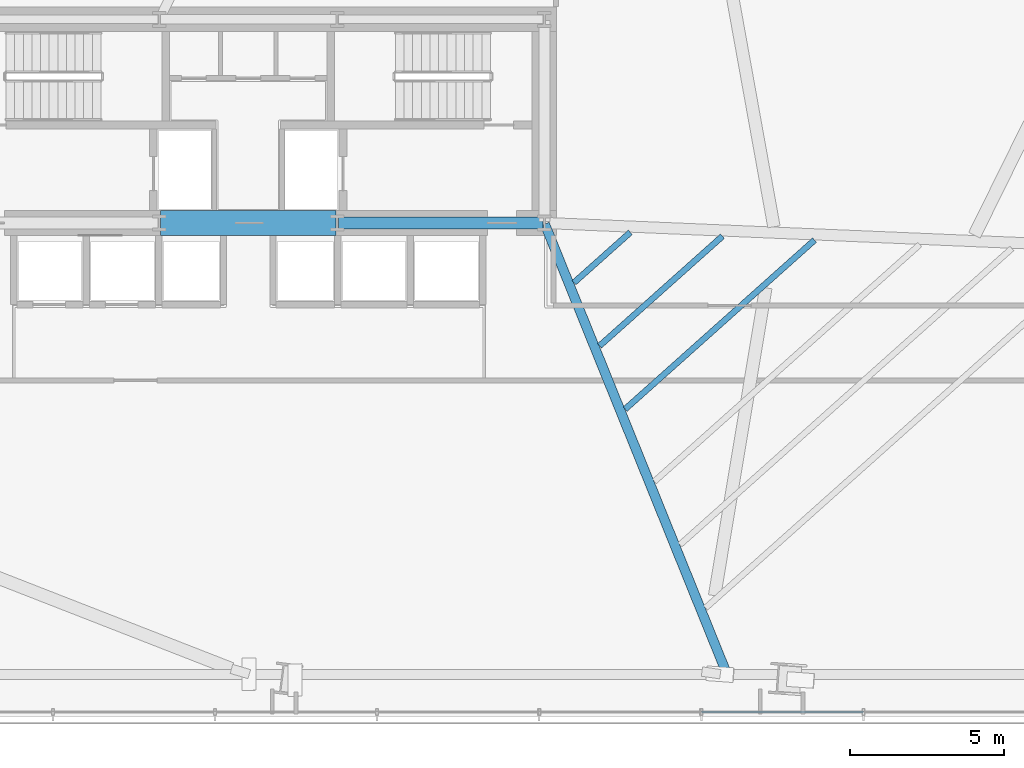
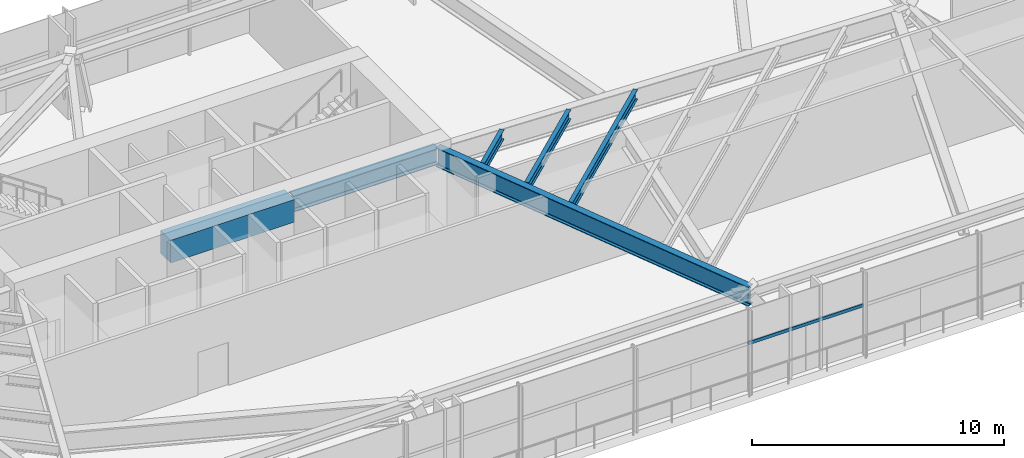
# One storey, part 14 of 30: 6 beams, 1 member, 1 element without a shape of its own.
"""IFC4 building model written with IfcOpenShell, lengths in metres."""

from ifc_helpers import new_model, si_unit, direction, frame, origin, origin_2d, place, context, subcontext, project, spatial, rectangle, hollow_rectangle, i_section, extrude, source, transform, mapped, material, material_profile, profile_set, type_object, type_shapes, element, aggregate, save


model = new_model("IFC4")

# Units and contexts
model_context = context("Model", 3, precision=1e-05, world=origin(), true_north=direction((0.0, 1.0)))
body_context = subcontext(model_context, "Body", "Model", "MODEL_VIEW")
ifc_project = project(units=[si_unit("LENGTHUNIT", "METRE"), si_unit("AREAUNIT", "SQUARE_METRE"), si_unit("VOLUMEUNIT", "CUBIC_METRE"), si_unit("PLANEANGLEUNIT", "RADIAN"), si_unit("MASSUNIT", "GRAM", prefix="KILO")], contexts=[model_context])

# Site, building, storey
site_placement = place(None, origin())
site = spatial("IfcSite", under=ifc_project, at=site_placement, CompositionType="ELEMENT")
building_placement = place(site_placement, origin())
building = spatial("IfcBuilding", under=site, at=building_placement, Name="Astriad Promenade Condominiums", CompositionType="ELEMENT")
storey_placement = place(building_placement, frame((0.0, 0.0, 14.0)))
storey = spatial("IfcBuildingStorey", under=building, at=storey_placement, Name="L03", CompositionType="ELEMENT", Elevation=14.0)

# Beams
ifc_material_1 = material(Name="Steel ASTM A992 Grade 50", Category="steel")
ifc_material_profile_1 = material_profile(ifc_material_1, i_section(OverallWidth=0.3837890625, OverallDepth=0.785888671875, WebThickness=0.019775390625, FlangeThickness=0.033447265625, FilletRadius=0.021484375, at=origin_2d()), Name="W30X211")
ifc_profile_set_1 = profile_set([ifc_material_profile_1], Name="Steel ASTM A992 Grade 50")
beam_type_1 = type_object("IfcBeamType", Name="STEEL FLOOR GIRDER W30X211", PredefinedType="BEAM", material=ifc_profile_set_1)
shared_shape_1 = source(origin(), body_context, "Body", "SweptSolid", [
    extrude(i_section(OverallWidth=0.3837890625, OverallDepth=0.785888671875, WebThickness=0.019775390625, FlangeThickness=0.033447265625, FilletRadius=0.021484375, at=origin_2d()), origin(), (0.0, 0.0, 1.0), 6.64013671875),
])
type_shapes(beam_type_1, [shared_shape_1])
beam_1_placement = place(storey_placement, frame((38.919921875, 17.39990234375, 3.68701171875), z_axis=(1.0, 0.0, 0.0), x_axis=(0.0, 1.0, 0.0)))
element("IfcBeam", 1, at=beam_1_placement, inside=storey, type_object=beam_type_1, Name="Core Ring Beam CG-S3-L03", PredefinedType="BEAM", context=body_context, shape_type="MappedRepresentation", body=[
    mapped(shared_shape_1, transform((0.0, 0.0, 0.0), scale=1.0)),
])
ifc_material_2 = material(Name="Concrete C80/95", Category="concrete")
ifc_material_profile_2 = material_profile(ifc_material_2, rectangle(XDim=0.800048828125, YDim=1.10009765625, at=origin_2d()), Name="RC-BM-800X1100")
ifc_profile_set_2 = profile_set([ifc_material_profile_2], Name="Concrete C80/95")
beam_type_2 = type_object("IfcBeamType", Name="CONCRETE CORE COUPLING LINTEL 800X1100", PredefinedType="LINTEL", material=ifc_profile_set_2)
shared_shape_2 = source(origin(), body_context, "Body", "SweptSolid", [
    extrude(rectangle(XDim=0.800048828125, YDim=1.10009765625, at=origin_2d()), origin(), (0.0, 0.0, 1.0), 5.68017578125),
])
type_shapes(beam_type_2, [shared_shape_2])
beam_2_placement = place(storey_placement, frame((33.159912109375, 17.39990234375, 3.530029296875), z_axis=(1.0, 0.0, 0.0), x_axis=(0.0, 1.0, 0.0)))
element("IfcBeam", 2, at=beam_2_placement, inside=storey, type_object=beam_type_2, Name="Core Ring Beam CG-S2-L03", PredefinedType="LINTEL", context=body_context, shape_type="MappedRepresentation", body=[
    mapped(shared_shape_2, transform((0.0, 0.0, 0.0), scale=1.0)),
])
ifc_material_profile_3 = material_profile(ifc_material_1, i_section(OverallWidth=0.307861328125, OverallDepth=0.9267578125, WebThickness=0.019287109375, FlangeThickness=0.031982421875, FilletRadius=0.024169921875, at=origin_2d()), Name="W36X194")
ifc_profile_set_3 = profile_set([ifc_material_profile_3], Name="Steel ASTM A992 Grade 50")
beam_type_3 = type_object("IfcBeamType", Name="STEEL PRIMARY GIRDER W36X194", PredefinedType="BEAM", material=ifc_profile_set_3)
shared_shape_3 = source(origin(), body_context, "Body", "SweptSolid", [
    extrude(i_section(OverallWidth=0.307861328125, OverallDepth=0.9267578125, WebThickness=0.019287109375, FlangeThickness=0.031982421875, FilletRadius=0.024169921875, at=origin_2d()), origin(), (0.0, 0.0, 1.0), 15.716064453125),
])
type_shapes(beam_type_3, [shared_shape_3])
beam_3_placement = place(storey_placement, frame((51.51025390625, 2.79443359375, 3.61669921875), z_axis=(-0.375113305306, 0.926978968576, 0.0), x_axis=(-0.926978968576, -0.375113305306, 0.0)))
element("IfcBeam", 3, at=beam_3_placement, inside=storey, type_object=beam_type_3, Name="Primary Floor Girder PG-E2-L03", PredefinedType="BEAM", context=body_context, shape_type="MappedRepresentation", body=[
    mapped(shared_shape_3, transform((0.0, 0.0, 0.0), scale=1.0)),
])
ifc_material_profile_4 = material_profile(ifc_material_1, i_section(OverallWidth=0.19287109375, OverallDepth=0.466064453125, WebThickness=0.011474609375, FlangeThickness=0.01904296875, FilletRadius=0.01513671875, at=origin_2d()), Name="W18X65")
ifc_profile_set_4 = profile_set([ifc_material_profile_4], Name="Steel ASTM A992 Grade 50")
beam_type_4 = type_object("IfcBeamType", Name="STEEL FLOOR JOIST W18X65", PredefinedType="JOIST", material=ifc_profile_set_4)
shared_shape_4 = source(origin(), body_context, "Body", "SweptSolid", [
    extrude(i_section(OverallWidth=0.19287109375, OverallDepth=0.466064453125, WebThickness=0.011474609375, FlangeThickness=0.01904296875, FilletRadius=0.01513671875, at=origin_2d()), origin(), (0.0, 0.0, 1.0), 8.225830078125),
])
beam_4_placement = place(storey_placement, frame((48.218017578125, 11.365478515625, 3.846923828125), z_axis=(0.746038763347, 0.665902518079, 0.0), x_axis=(-0.665902518079, 0.746038763347, 0.0)))
element("IfcBeam", 4, at=beam_4_placement, inside=storey, type_object=beam_type_4, Name="Secondary Composite Floor Joist JE1-4-L03", PredefinedType="JOIST", context=body_context, shape_type="MappedRepresentation", body=[
    mapped(shared_shape_4, transform((0.0, 0.0, 0.0), scale=1.0)),
])
shared_shape_5 = source(origin(), body_context, "Body", "SweptSolid", [
    extrude(i_section(OverallWidth=0.19287109375, OverallDepth=0.466064453125, WebThickness=0.011474609375, FlangeThickness=0.01904296875, FilletRadius=0.01513671875, at=origin_2d()), origin(), (0.0, 0.0, 1.0), 5.336181640625),
])
beam_5_placement = place(storey_placement, frame((47.388427734375, 13.41552734375, 3.846923828125), z_axis=(0.746026950258, 0.665915752546, 0.0), x_axis=(-0.665915752546, 0.746026950258, 0.0)))
element("IfcBeam", 5, at=beam_5_placement, inside=storey, type_object=beam_type_4, Name="Secondary Composite Floor Joist JE1-5-L03", PredefinedType="JOIST", context=body_context, shape_type="MappedRepresentation", body=[
    mapped(shared_shape_5, transform((0.0, 0.0, 0.0), scale=1.0)),
])
shared_shape_6 = source(origin(), body_context, "Body", "SweptSolid", [
    extrude(i_section(OverallWidth=0.19287109375, OverallDepth=0.466064453125, WebThickness=0.011474609375, FlangeThickness=0.01904296875, FilletRadius=0.01513671875, at=origin_2d()), origin(), (0.0, 0.0, 1.0), 2.44677734375),
])
type_shapes(beam_type_4, [shared_shape_4, shared_shape_5, shared_shape_6])
beam_6_placement = place(storey_placement, frame((46.55908203125, 15.465576171875, 3.846923828125), z_axis=(0.746081052098, 0.665855137174, 0.0), x_axis=(-0.665855137174, 0.746081052098, 0.0)))
element("IfcBeam", 6, at=beam_6_placement, inside=storey, type_object=beam_type_4, Name="Secondary Composite Floor Joist JE1-6-L03", PredefinedType="JOIST", context=body_context, shape_type="MappedRepresentation", body=[
    mapped(shared_shape_6, transform((0.0, 0.0, 0.0), scale=1.0)),
])

# Curtain wall, member
ifc_material_3 = material(Name="Anodised aluminium Black Dark Glass Unitised", Category="aluminium")
curtain_wall_type = type_object("IfcCurtainWallType", Name="CW-POD-DARK", PredefinedType="USERDEFINED", material=ifc_material_3)
curtain_wall_placement = place(storey_placement, origin())
curtain_wall = element("IfcCurtainWall", 7, at=curtain_wall_placement, inside=storey, type_object=curtain_wall_type, Name="CW-L03-S", ObjectType="UNITISED_CURTAIN_WALL", PredefinedType="USERDEFINED")
ifc_material_4 = material(Name="Anodised aluminium 6063-T6 Black", Category="aluminium")
ifc_material_profile_5 = material_profile(ifc_material_4, hollow_rectangle(XDim=0.074951171875, YDim=0.14990234375, WallThickness=0.004150390625, at=origin_2d()), Name="ALU-TRN-75X150")
ifc_profile_set_5 = profile_set([ifc_material_profile_5], Name="Anodised aluminium 6063-T6 Black")
member_type = type_object("IfcMemberType", Name="TRN-ALU-TRN-75X150", PredefinedType="USERDEFINED", material=ifc_profile_set_5)
shared_shape_7 = source(origin(), body_context, "Body", "SweptSolid", [
    extrude(hollow_rectangle(XDim=0.074951171875, YDim=0.14990234375, WallThickness=0.004150390625, at=origin_2d()), origin(), (0.0, 0.0, 1.0), 5.254638671875),
])
type_shapes(member_type, [shared_shape_7])
member_placement = place(storey_placement, frame((55.94091796875, 1.550048828125, 2.35009765625), z_axis=(-1.0, 0.0, 0.0), x_axis=(0.0, -1.0, 0.0)))
member = element("IfcMember", 8, at=member_placement, type_object=member_type, Name="CW-L03-S-TRN-02-0", ObjectType="TRANSOM", PredefinedType="USERDEFINED", context=body_context, shape_type="MappedRepresentation", body=[
    mapped(shared_shape_7, transform((0.0, 0.0, 0.0), scale=1.0)),
])
aggregate(curtain_wall, [member])

save(model, "model.ifc")
